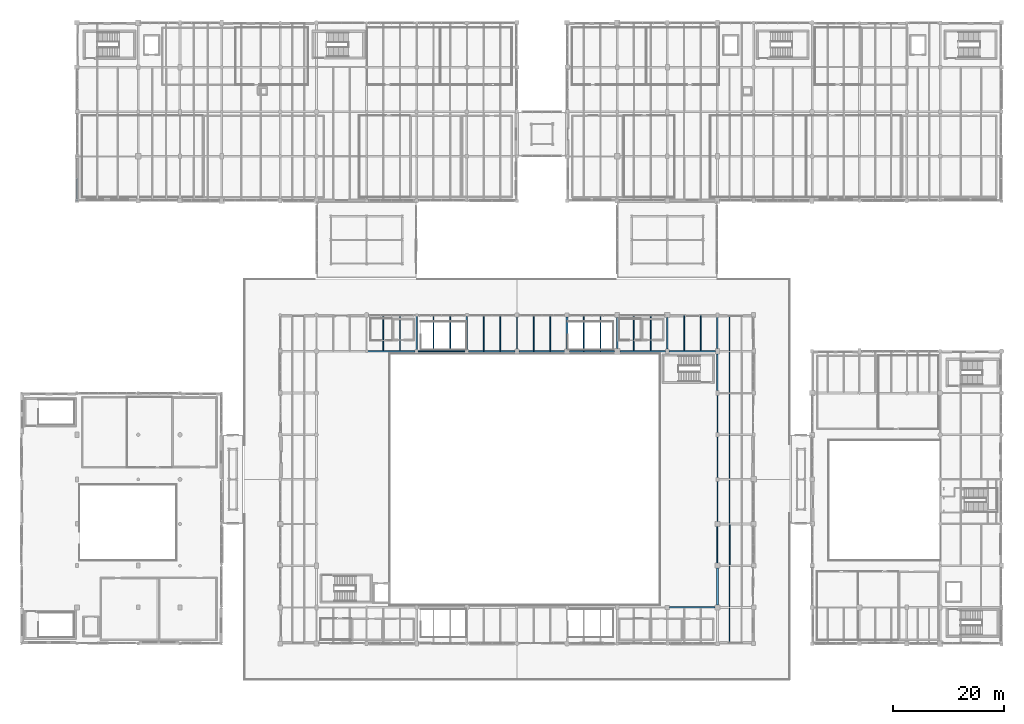
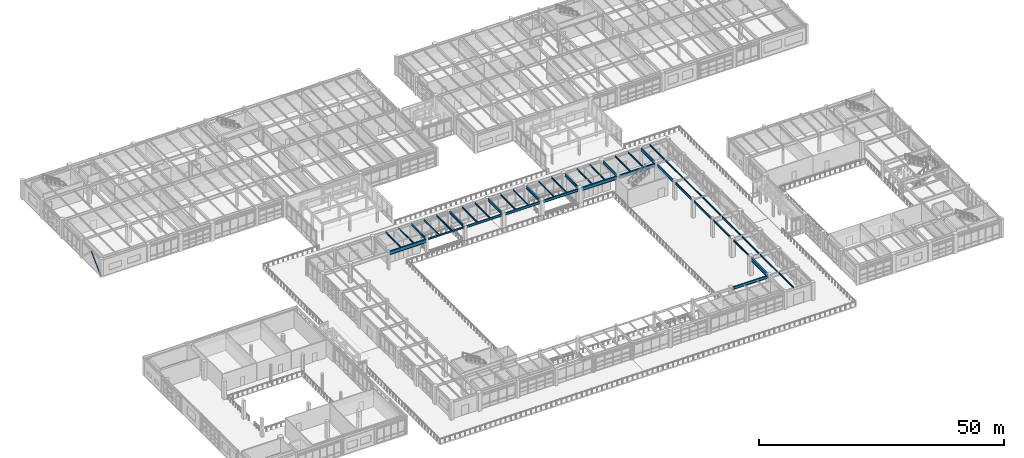
# One storey, part 52 of 200: 43 beams, 1 member.
"""IFC4 building model written with IfcOpenShell, lengths in metres."""

from ifc_helpers import new_model, si_unit, direction, frame, origin, origin_2d, place, context, subcontext, project, spatial, hollow_rectangle, i_section, extrude, material, material_profile, profile_set, type_object, element, save


model = new_model("IFC4")

# Units and contexts
model_context = context("Model", 3, precision=1e-05, world=origin(), true_north=direction((0.0, 1.0)))
body_context = subcontext(model_context, "Body", "Model", "MODEL_VIEW")
ifc_project = project(units=[si_unit("LENGTHUNIT", "METRE"), si_unit("AREAUNIT", "SQUARE_METRE"), si_unit("VOLUMEUNIT", "CUBIC_METRE"), si_unit("PLANEANGLEUNIT", "RADIAN"), si_unit("MASSUNIT", "GRAM", prefix="KILO"), si_unit("THERMODYNAMICTEMPERATUREUNIT", "KELVIN"), si_unit("POWERUNIT", "WATT")], contexts=[model_context])

# Site, building, storey
site_placement = place(None, origin())
site = spatial("IfcSite", under=ifc_project, at=site_placement, CompositionType="ELEMENT")
building_placement = place(site_placement, origin())
building = spatial("IfcBuilding", under=site, at=building_placement, Name="Tepalcoro Natatorium and Aquatics Centre", CompositionType="ELEMENT")
storey_placement = place(building_placement, frame((0.0, 0.0, 5.39990234375)))
storey = spatial("IfcBuildingStorey", under=building, at=storey_placement, Name="L01", CompositionType="ELEMENT", Elevation=5.39990234375)

# Beams
ifc_material_1 = material(Name="Steel ASTM A992 Grade 50 (Fy 345 MPa)", Category="steel")
ifc_material_profile_1 = material_profile(ifc_material_1, i_section(OverallWidth=0.177978515625, OverallDepth=0.406005859375, WebThickness=0.008056640625, FlangeThickness=0.012939453125, FilletRadius=0.013916015625, at=origin_2d()), Name="W16X40")
ifc_profile_set_1 = profile_set([ifc_material_profile_1], Name="Steel ASTM A992 Grade 50 (Fy 345 MPa)")
beam_type_1 = type_object("IfcBeamType", Name="BM_W16x40", PredefinedType="BEAM", material=ifc_profile_set_1)
beam_1_placement = place(storey_placement, frame((71.260009765625, 59.0, 4.26220703125), z_axis=(1.0, 0.0, 0.0), x_axis=(0.0, 1.0, 0.0)))
element("IfcBeam", 1, at=beam_1_placement, inside=storey, type_object=beam_type_1, Name="V1 L01 Grid Girder X", PredefinedType="BEAM", context=body_context, shape_type="SweptSolid", body=[
    extrude(i_section(OverallWidth=0.177978515625, OverallDepth=0.406005859375, WebThickness=0.008056640625, FlangeThickness=0.012939453125, FilletRadius=0.013916015625, at=origin_2d()), origin(), (0.0, 0.0, 1.0), 8.429931640625),
])
beam_2_placement = place(storey_placement, frame((125.0, 20.93505859375, 4.26220703125), z_axis=(0.0, 1.0, 0.0), x_axis=(-1.0, 0.0, 0.0)))
element("IfcBeam", 2, at=beam_2_placement, inside=storey, type_object=beam_type_1, Name="V1 L01 Grid Girder Y", PredefinedType="BEAM", context=body_context, shape_type="SweptSolid", body=[
    extrude(i_section(OverallWidth=0.177978515625, OverallDepth=0.406005859375, WebThickness=0.008056640625, FlangeThickness=0.012939453125, FilletRadius=0.013916015625, at=origin_2d()), origin(), (0.0, 0.0, 1.0), 6.60498046875),
])
ifc_material_profile_2 = material_profile(ifc_material_1, i_section(OverallWidth=0.193115234375, OverallDepth=0.467041015625, WebThickness=0.010986328125, FlangeThickness=0.01904296875, FilletRadius=0.013916015625, at=origin_2d()), Name="W18X65")
ifc_profile_set_2 = profile_set([ifc_material_profile_2], Name="Steel ASTM A992 Grade 50 (Fy 345 MPa)")
beam_type_2 = type_object("IfcBeamType", Name="BM_W18x65", PredefinedType="BEAM", material=ifc_profile_set_2)
beam_3_placement = place(storey_placement, frame((125.0, 28.4599609375, 4.231689453125), z_axis=(0.0, 1.0, 0.0), x_axis=(-1.0, 0.0, 0.0)))
element("IfcBeam", 3, at=beam_3_placement, inside=storey, type_object=beam_type_2, Name="V1 L01 Grid Girder Y", PredefinedType="BEAM", context=body_context, shape_type="SweptSolid", body=[
    extrude(i_section(OverallWidth=0.193115234375, OverallDepth=0.467041015625, WebThickness=0.010986328125, FlangeThickness=0.01904296875, FilletRadius=0.013916015625, at=origin_2d()), origin(), (0.0, 0.0, 1.0), 7.205078125),
])
ifc_material_profile_3 = material_profile(ifc_material_1, i_section(OverallWidth=0.2099609375, OverallDepth=0.532958984375, WebThickness=0.010009765625, FlangeThickness=0.01611328125, FilletRadius=0.013916015625, at=origin_2d()), Name="W21X62")
ifc_profile_set_3 = profile_set([ifc_material_profile_3], Name="Steel ASTM A992 Grade 50 (Fy 345 MPa)")
beam_type_3 = type_object("IfcBeamType", Name="BM_W21x62", PredefinedType="BEAM", material=ifc_profile_set_3)
beam_4_placement = place(storey_placement, frame((80.31005859375, 59.0, 4.198486328125), z_axis=(1.0, 0.0, 0.0), x_axis=(0.0, 1.0, 0.0)))
element("IfcBeam", 4, at=beam_4_placement, inside=storey, type_object=beam_type_3, Name="V1 L01 Grid Girder X", PredefinedType="BEAM", context=body_context, shape_type="SweptSolid", body=[
    extrude(i_section(OverallWidth=0.2099609375, OverallDepth=0.532958984375, WebThickness=0.010009765625, FlangeThickness=0.01611328125, FilletRadius=0.013916015625, at=origin_2d()), origin(), (0.0, 0.0, 1.0), 8.329833984375),
])
ifc_material_profile_4 = material_profile(ifc_material_1, i_section(OverallWidth=0.2119140625, OverallDepth=0.5439453125, WebThickness=0.012939453125, FlangeThickness=0.02099609375, FilletRadius=0.013916015625, at=origin_2d()), Name="W21X83")
ifc_profile_set_4 = profile_set([ifc_material_profile_4], Name="Steel ASTM A992 Grade 50 (Fy 345 MPa)")
beam_type_4 = type_object("IfcBeamType", Name="BM_W21x83", PredefinedType="BEAM", material=ifc_profile_set_4)
beam_5_placement = place(storey_placement, frame((71.0, 59.260009765625, 4.193115234375), z_axis=(0.0, 1.0, 0.0), x_axis=(-1.0, 0.0, 0.0)))
element("IfcBeam", 5, at=beam_5_placement, inside=storey, type_object=beam_type_4, Name="V1 L01 Grid Girder Y", PredefinedType="BEAM", context=body_context, shape_type="SweptSolid", body=[
    extrude(i_section(OverallWidth=0.2119140625, OverallDepth=0.5439453125, WebThickness=0.012939453125, FlangeThickness=0.02099609375, FilletRadius=0.013916015625, at=origin_2d()), origin(), (0.0, 0.0, 1.0), 6.030029296875),
])
beam_6_placement = place(storey_placement, frame((125.0, 36.3349609375, 4.193115234375), z_axis=(0.0, 1.0, 0.0), x_axis=(-1.0, 0.0, 0.0)))
element("IfcBeam", 6, at=beam_6_placement, inside=storey, type_object=beam_type_4, Name="V1 L01 Grid Girder Y", PredefinedType="BEAM", context=body_context, shape_type="SweptSolid", body=[
    extrude(i_section(OverallWidth=0.2119140625, OverallDepth=0.5439453125, WebThickness=0.012939453125, FlangeThickness=0.02099609375, FilletRadius=0.013916015625, at=origin_2d()), origin(), (0.0, 0.0, 1.0), 7.280029296875),
])
ifc_material_profile_5 = material_profile(ifc_material_1, i_section(OverallWidth=0.324951171875, OverallDepth=0.616943359375, WebThickness=0.013916015625, FlangeThickness=0.02197265625, FilletRadius=0.013916015625, at=origin_2d()), Name="W24X117")
ifc_profile_set_5 = profile_set([ifc_material_profile_5], Name="Steel ASTM A992 Grade 50 (Fy 345 MPa)")
beam_type_5 = type_object("IfcBeamType", Name="BM_W24x117", PredefinedType="BEAM", material=ifc_profile_set_5)
beam_7_placement = place(storey_placement, frame((98.0, 59.409912109375, 4.156494140625), z_axis=(0.0, 1.0, 0.0), x_axis=(-1.0, 0.0, 0.0)))
element("IfcBeam", 7, at=beam_7_placement, inside=storey, type_object=beam_type_5, Name="V1 L01 Grid Girder Y", PredefinedType="BEAM", context=body_context, shape_type="SweptSolid", body=[
    extrude(i_section(OverallWidth=0.324951171875, OverallDepth=0.616943359375, WebThickness=0.013916015625, FlangeThickness=0.02197265625, FilletRadius=0.013916015625, at=origin_2d()), origin(), (0.0, 0.0, 1.0), 5.72998046875),
])
ifc_material_profile_6 = material_profile(ifc_material_1, i_section(OverallWidth=0.22802734375, OverallDepth=0.60693359375, WebThickness=0.010986328125, FlangeThickness=0.01708984375, FilletRadius=0.013916015625, at=origin_2d()), Name="W24X76")
ifc_profile_set_6 = profile_set([ifc_material_profile_6], Name="Steel ASTM A992 Grade 50 (Fy 345 MPa)")
beam_type_6 = type_object("IfcBeamType", Name="BM_W24x76", PredefinedType="BEAM", material=ifc_profile_set_6)
beam_8_placement = place(storey_placement, frame((80.0, 59.31005859375, 4.16162109375), z_axis=(0.0, 1.0, 0.0), x_axis=(-1.0, 0.0, 0.0)))
element("IfcBeam", 8, at=beam_8_placement, inside=storey, type_object=beam_type_6, Name="V1 L01 Grid Girder Y", PredefinedType="BEAM", context=body_context, shape_type="SweptSolid", body=[
    extrude(i_section(OverallWidth=0.22802734375, OverallDepth=0.60693359375, WebThickness=0.010986328125, FlangeThickness=0.01708984375, FilletRadius=0.013916015625, at=origin_2d()), origin(), (0.0, 0.0, 1.0), 5.929931640625),
])
ifc_material_profile_7 = material_profile(ifc_material_1, i_section(OverallWidth=0.22998046875, OverallDepth=0.616943359375, WebThickness=0.012939453125, FlangeThickness=0.02197265625, FilletRadius=0.013916015625, at=origin_2d()), Name="W24X94")
ifc_profile_set_7 = profile_set([ifc_material_profile_7], Name="Steel ASTM A992 Grade 50 (Fy 345 MPa)")
beam_type_7 = type_object("IfcBeamType", Name="BM_W24x94", PredefinedType="BEAM", material=ifc_profile_set_7)
beam_9_placement = place(storey_placement, frame((89.360107421875, 59.0, 4.156494140625), z_axis=(1.0, 0.0, 0.0), x_axis=(0.0, 1.0, 0.0)))
element("IfcBeam", 9, at=beam_9_placement, inside=storey, type_object=beam_type_7, Name="V1 L01 Grid Girder X", PredefinedType="BEAM", context=body_context, shape_type="SweptSolid", body=[
    extrude(i_section(OverallWidth=0.22998046875, OverallDepth=0.616943359375, WebThickness=0.012939453125, FlangeThickness=0.02197265625, FilletRadius=0.013916015625, at=origin_2d()), origin(), (0.0, 0.0, 1.0), 8.22998046875),
])
beam_10_placement = place(storey_placement, frame((89.0, 59.360107421875, 4.156494140625), z_axis=(0.0, 1.0, 0.0), x_axis=(-1.0, 0.0, 0.0)))
element("IfcBeam", 10, at=beam_10_placement, inside=storey, type_object=beam_type_7, Name="V1 L01 Grid Girder Y", PredefinedType="BEAM", context=body_context, shape_type="SweptSolid", body=[
    extrude(i_section(OverallWidth=0.22998046875, OverallDepth=0.616943359375, WebThickness=0.012939453125, FlangeThickness=0.02197265625, FilletRadius=0.013916015625, at=origin_2d()), origin(), (0.0, 0.0, 1.0), 5.829833984375),
])
beam_11_placement = place(storey_placement, frame((125.0, 44.385009765625, 4.156494140625), z_axis=(0.0, 1.0, 0.0), x_axis=(-1.0, 0.0, 0.0)))
element("IfcBeam", 11, at=beam_11_placement, inside=storey, type_object=beam_type_7, Name="V1 L01 Grid Girder Y", PredefinedType="BEAM", context=body_context, shape_type="SweptSolid", body=[
    extrude(i_section(OverallWidth=0.22998046875, OverallDepth=0.616943359375, WebThickness=0.012939453125, FlangeThickness=0.02197265625, FilletRadius=0.013916015625, at=origin_2d()), origin(), (0.0, 0.0, 1.0), 6.679931640625),
])
ifc_material_profile_8 = material_profile(ifc_material_1, i_section(OverallWidth=0.25390625, OverallDepth=0.68798828125, WebThickness=0.012939453125, FlangeThickness=0.02099609375, FilletRadius=0.013916015625, at=origin_2d()), Name="W27X102")
ifc_profile_set_8 = profile_set([ifc_material_profile_8], Name="Steel ASTM A992 Grade 50 (Fy 345 MPa)")
beam_type_8 = type_object("IfcBeamType", Name="BM_W27x102", PredefinedType="BEAM", material=ifc_profile_set_8)
beam_12_placement = place(storey_placement, frame((107.0, 59.4599609375, 4.12109375), z_axis=(0.0, 1.0, 0.0), x_axis=(-1.0, 0.0, 0.0)))
element("IfcBeam", 12, at=beam_12_placement, inside=storey, type_object=beam_type_8, Name="V1 L01 Grid Girder Y", PredefinedType="BEAM", context=body_context, shape_type="SweptSolid", body=[
    extrude(i_section(OverallWidth=0.25390625, OverallDepth=0.68798828125, WebThickness=0.012939453125, FlangeThickness=0.02099609375, FilletRadius=0.013916015625, at=origin_2d()), origin(), (0.0, 0.0, 1.0), 5.630126953125),
])
beam_13_placement = place(storey_placement, frame((125.0, 51.93505859375, 4.12109375), z_axis=(0.0, 1.0, 0.0), x_axis=(-1.0, 0.0, 0.0)))
element("IfcBeam", 13, at=beam_13_placement, inside=storey, type_object=beam_type_8, Name="V1 L01 Grid Girder Y", PredefinedType="BEAM", context=body_context, shape_type="SweptSolid", body=[
    extrude(i_section(OverallWidth=0.25390625, OverallDepth=0.68798828125, WebThickness=0.012939453125, FlangeThickness=0.02099609375, FilletRadius=0.013916015625, at=origin_2d()), origin(), (0.0, 0.0, 1.0), 6.60498046875),
])
ifc_material_profile_9 = material_profile(ifc_material_1, i_section(OverallWidth=0.25390625, OverallDepth=0.700927734375, WebThickness=0.014892578125, FlangeThickness=0.028076171875, FilletRadius=0.013916015625, at=origin_2d()), Name="W27X129")
ifc_profile_set_9 = profile_set([ifc_material_profile_9], Name="Steel ASTM A992 Grade 50 (Fy 345 MPa)")
beam_type_9 = type_object("IfcBeamType", Name="BM_W27x129", PredefinedType="BEAM", material=ifc_profile_set_9)
beam_14_placement = place(storey_placement, frame((116.360107421875, 13.0, 4.114501953125), z_axis=(1.0, 0.0, 0.0), x_axis=(0.0, 1.0, 0.0)))
element("IfcBeam", 14, at=beam_14_placement, inside=storey, type_object=beam_type_9, Name="V1 L01 Grid Girder X", PredefinedType="BEAM", context=body_context, shape_type="SweptSolid", body=[
    extrude(i_section(OverallWidth=0.25390625, OverallDepth=0.700927734375, WebThickness=0.014892578125, FlangeThickness=0.028076171875, FilletRadius=0.013916015625, at=origin_2d()), origin(), (0.0, 0.0, 1.0), 8.22998046875),
])
beam_15_placement = place(storey_placement, frame((98.409912109375, 59.0, 4.114501953125), z_axis=(1.0, 0.0, 0.0), x_axis=(0.0, 1.0, 0.0)))
element("IfcBeam", 15, at=beam_15_placement, inside=storey, type_object=beam_type_9, Name="V1 L01 Grid Girder X", PredefinedType="BEAM", context=body_context, shape_type="SweptSolid", body=[
    extrude(i_section(OverallWidth=0.25390625, OverallDepth=0.700927734375, WebThickness=0.014892578125, FlangeThickness=0.028076171875, FilletRadius=0.013916015625, at=origin_2d()), origin(), (0.0, 0.0, 1.0), 8.130126953125),
])
beam_16_placement = place(storey_placement, frame((116.0, 59.385009765625, 4.114501953125), z_axis=(0.0, 1.0, 0.0), x_axis=(-1.0, 0.0, 0.0)))
element("IfcBeam", 16, at=beam_16_placement, inside=storey, type_object=beam_type_9, Name="V1 L01 Grid Girder Y", PredefinedType="BEAM", context=body_context, shape_type="SweptSolid", body=[
    extrude(i_section(OverallWidth=0.25390625, OverallDepth=0.700927734375, WebThickness=0.014892578125, FlangeThickness=0.028076171875, FilletRadius=0.013916015625, at=origin_2d()), origin(), (0.0, 0.0, 1.0), 5.655029296875),
])
ifc_material_profile_10 = material_profile(ifc_material_1, i_section(OverallWidth=0.26708984375, OverallDepth=0.761962890625, WebThickness=0.013916015625, FlangeThickness=0.02197265625, FilletRadius=0.013916015625, at=origin_2d()), Name="W30X116")
ifc_profile_set_10 = profile_set([ifc_material_profile_10], Name="Steel ASTM A992 Grade 50 (Fy 345 MPa)")
beam_type_10 = type_object("IfcBeamType", Name="BM_W30x116", PredefinedType="BEAM", material=ifc_profile_set_10)
beam_17_placement = place(storey_placement, frame((125.0, 59.4599609375, 4.083984375), z_axis=(0.0, 1.0, 0.0), x_axis=(-1.0, 0.0, 0.0)))
element("IfcBeam", 17, at=beam_17_placement, inside=storey, type_object=beam_type_10, Name="V1 L01 Grid Girder Y", PredefinedType="BEAM", context=body_context, shape_type="SweptSolid", body=[
    extrude(i_section(OverallWidth=0.26708984375, OverallDepth=0.761962890625, WebThickness=0.013916015625, FlangeThickness=0.02197265625, FilletRadius=0.013916015625, at=origin_2d()), origin(), (0.0, 0.0, 1.0), 5.655029296875),
])
ifc_material_profile_11 = material_profile(ifc_material_1, i_section(OverallWidth=0.2919921875, OverallDepth=0.845947265625, WebThickness=0.014892578125, FlangeThickness=0.02392578125, FilletRadius=0.013916015625, at=origin_2d()), Name="W33X141")
ifc_profile_set_11 = profile_set([ifc_material_profile_11], Name="Steel ASTM A992 Grade 50 (Fy 345 MPa)")
beam_type_11 = type_object("IfcBeamType", Name="BM_W33x141", PredefinedType="BEAM", material=ifc_profile_set_11)
beam_18_placement = place(storey_placement, frame((107.4599609375, 59.0, 4.0419921875), z_axis=(1.0, 0.0, 0.0), x_axis=(0.0, 1.0, 0.0)))
element("IfcBeam", 18, at=beam_18_placement, inside=storey, type_object=beam_type_11, Name="V1 L01 Grid Girder X", PredefinedType="BEAM", context=body_context, shape_type="SweptSolid", body=[
    extrude(i_section(OverallWidth=0.2919921875, OverallDepth=0.845947265625, WebThickness=0.014892578125, FlangeThickness=0.02392578125, FilletRadius=0.013916015625, at=origin_2d()), origin(), (0.0, 0.0, 1.0), 8.255126953125),
])
ifc_material_profile_12 = material_profile(ifc_material_1, i_section(OverallWidth=0.304931640625, OverallDepth=0.9189453125, WebThickness=0.01708984375, FlangeThickness=0.028076171875, FilletRadius=0.013916015625, at=origin_2d()), Name="W36X170")
ifc_profile_set_12 = profile_set([ifc_material_profile_12], Name="Steel ASTM A992 Grade 50 (Fy 345 MPa)")
beam_type_12 = type_object("IfcBeamType", Name="BM_W36x170", PredefinedType="BEAM", material=ifc_profile_set_12)
beam_19_placement = place(storey_placement, frame((62.2099609375, 59.0, 4.005615234375), z_axis=(1.0, 0.0, 0.0), x_axis=(0.0, 1.0, 0.0)))
element("IfcBeam", 19, at=beam_19_placement, inside=storey, type_object=beam_type_12, Name="V1 L01 Grid Girder X", PredefinedType="BEAM", context=body_context, shape_type="SweptSolid", body=[
    extrude(i_section(OverallWidth=0.304931640625, OverallDepth=0.9189453125, WebThickness=0.01708984375, FlangeThickness=0.028076171875, FilletRadius=0.013916015625, at=origin_2d()), origin(), (0.0, 0.0, 1.0), 8.530029296875),
])
ifc_material_profile_13 = material_profile(ifc_material_1, i_section(OverallWidth=0.31005859375, OverallDepth=0.931884765625, WebThickness=0.02099609375, FlangeThickness=0.034912109375, FilletRadius=0.013916015625, at=origin_2d()), Name="W36X210")
ifc_profile_set_13 = profile_set([ifc_material_profile_13], Name="Steel ASTM A992 Grade 50 (Fy 345 MPa)")
beam_type_13 = type_object("IfcBeamType", Name="BM_W36x210", PredefinedType="BEAM", material=ifc_profile_set_13)
beam_20_placement = place(storey_placement, frame((116.284912109375, 59.0, 3.9990234375), z_axis=(1.0, 0.0, 0.0), x_axis=(0.0, 1.0, 0.0)))
element("IfcBeam", 20, at=beam_20_placement, inside=storey, type_object=beam_type_13, Name="V1 L01 Grid Girder X", PredefinedType="BEAM", context=body_context, shape_type="SweptSolid", body=[
    extrude(i_section(OverallWidth=0.31005859375, OverallDepth=0.931884765625, WebThickness=0.02099609375, FlangeThickness=0.034912109375, FilletRadius=0.013916015625, at=origin_2d()), origin(), (0.0, 0.0, 1.0), 8.380126953125),
])
beam_21_placement = place(storey_placement, frame((125.0, 13.409912109375, 3.9990234375), z_axis=(0.0, 1.0, 0.0), x_axis=(-1.0, 0.0, 0.0)))
element("IfcBeam", 21, at=beam_21_placement, inside=storey, type_object=beam_type_13, Name="V1 L01 Grid Girder Y", PredefinedType="BEAM", context=body_context, shape_type="SweptSolid", body=[
    extrude(i_section(OverallWidth=0.31005859375, OverallDepth=0.931884765625, WebThickness=0.02099609375, FlangeThickness=0.034912109375, FilletRadius=0.013916015625, at=origin_2d()), origin(), (0.0, 0.0, 1.0), 6.655029296875),
])
ifc_material_profile_14 = material_profile(ifc_material_1, i_section(OverallWidth=0.1650390625, OverallDepth=0.31005859375, WebThickness=0.006103515625, FlangeThickness=0.010009765625, FilletRadius=0.013916015625, at=origin_2d()), Name="W12X26")
ifc_profile_set_14 = profile_set([ifc_material_profile_14], Name="Steel ASTM A992 Grade 50 (Fy 345 MPa)")
beam_type_14 = type_object("IfcBeamType", Name="JS_W12x26", PredefinedType="JOIST", material=ifc_profile_set_14)
beam_22_placement = place(storey_placement, frame((95.0, 59.114990234375, 4.31005859375), z_axis=(0.0, 1.0, 0.0), x_axis=(-1.0, 0.0, 0.0)))
element("IfcBeam", 22, at=beam_22_placement, inside=storey, type_object=beam_type_14, Name="V1 L01 Floor Joist", PredefinedType="JOIST", context=body_context, shape_type="SweptSolid", body=[
    extrude(i_section(OverallWidth=0.1650390625, OverallDepth=0.31005859375, WebThickness=0.006103515625, FlangeThickness=0.010009765625, FilletRadius=0.013916015625, at=origin_2d()), origin(), (0.0, 0.0, 1.0), 6.280029296875),
])
beam_23_placement = place(storey_placement, frame((101.0, 59.126953125, 4.31005859375), z_axis=(0.0, 1.0, 0.0), x_axis=(-1.0, 0.0, 0.0)))
element("IfcBeam", 23, at=beam_23_placement, inside=storey, type_object=beam_type_14, Name="V1 L01 Floor Joist", PredefinedType="JOIST", context=body_context, shape_type="SweptSolid", body=[
    extrude(i_section(OverallWidth=0.1650390625, OverallDepth=0.31005859375, WebThickness=0.006103515625, FlangeThickness=0.010009765625, FilletRadius=0.013916015625, at=origin_2d()), origin(), (0.0, 0.0, 1.0), 6.258544921875),
])
beam_24_placement = place(storey_placement, frame((127.166748046875, 36.155029296875, 4.31005859375), z_axis=(0.0, 1.0, 0.0), x_axis=(-1.0, 0.0, 0.0)))
element("IfcBeam", 24, at=beam_24_placement, inside=storey, type_object=beam_type_14, Name="V1 L01 Floor Joist", PredefinedType="JOIST", context=body_context, shape_type="SweptSolid", body=[
    extrude(i_section(OverallWidth=0.1650390625, OverallDepth=0.31005859375, WebThickness=0.006103515625, FlangeThickness=0.010009765625, FilletRadius=0.013916015625, at=origin_2d()), origin(), (0.0, 0.0, 1.0), 7.743408203125),
])
ifc_material_profile_15 = material_profile(ifc_material_1, i_section(OverallWidth=0.1669921875, OverallDepth=0.318115234375, WebThickness=0.008056640625, FlangeThickness=0.012939453125, FilletRadius=0.013916015625, at=origin_2d()), Name="W12X35")
ifc_profile_set_15 = profile_set([ifc_material_profile_15], Name="Steel ASTM A992 Grade 50 (Fy 345 MPa)")
beam_type_15 = type_object("IfcBeamType", Name="JS_W12x35", PredefinedType="JOIST", material=ifc_profile_set_15)
beam_25_placement = place(storey_placement, frame((104.0, 59.126953125, 4.30615234375), z_axis=(0.0, 1.0, 0.0), x_axis=(-1.0, 0.0, 0.0)))
element("IfcBeam", 25, at=beam_25_placement, inside=storey, type_object=beam_type_15, Name="V1 L01 Floor Joist", PredefinedType="JOIST", context=body_context, shape_type="SweptSolid", body=[
    extrude(i_section(OverallWidth=0.1669921875, OverallDepth=0.318115234375, WebThickness=0.008056640625, FlangeThickness=0.012939453125, FilletRadius=0.013916015625, at=origin_2d()), origin(), (0.0, 0.0, 1.0), 6.258544921875),
])
beam_26_placement = place(storey_placement, frame((110.0, 59.14599609375, 4.30615234375), z_axis=(0.0, 1.0, 0.0), x_axis=(-1.0, 0.0, 0.0)))
element("IfcBeam", 26, at=beam_26_placement, inside=storey, type_object=beam_type_15, Name="V1 L01 Floor Joist", PredefinedType="JOIST", context=body_context, shape_type="SweptSolid", body=[
    extrude(i_section(OverallWidth=0.1669921875, OverallDepth=0.318115234375, WebThickness=0.008056640625, FlangeThickness=0.012939453125, FilletRadius=0.013916015625, at=origin_2d()), origin(), (0.0, 0.0, 1.0), 6.263916015625),
])
beam_27_placement = place(storey_placement, frame((127.166748046875, 44.1015625, 4.30615234375), z_axis=(0.0, 1.0, 0.0), x_axis=(-1.0, 0.0, 0.0)))
element("IfcBeam", 27, at=beam_27_placement, inside=storey, type_object=beam_type_15, Name="V1 L01 Floor Joist", PredefinedType="JOIST", context=body_context, shape_type="SweptSolid", body=[
    extrude(i_section(OverallWidth=0.1669921875, OverallDepth=0.318115234375, WebThickness=0.008056640625, FlangeThickness=0.012939453125, FilletRadius=0.013916015625, at=origin_2d()), origin(), (0.0, 0.0, 1.0), 7.309326171875),
])
ifc_material_profile_16 = material_profile(ifc_material_1, i_section(OverallWidth=0.1708984375, OverallDepth=0.35107421875, WebThickness=0.007080078125, FlangeThickness=0.010009765625, FilletRadius=0.013916015625, at=origin_2d()), Name="W14X30")
ifc_profile_set_16 = profile_set([ifc_material_profile_16], Name="Steel ASTM A992 Grade 50 (Fy 345 MPa)")
beam_type_16 = type_object("IfcBeamType", Name="JS_W14x30", PredefinedType="JOIST", material=ifc_profile_set_16)
beam_28_placement = place(storey_placement, frame((113.0, 59.14599609375, 4.28955078125), z_axis=(0.0, 1.0, 0.0), x_axis=(-1.0, 0.0, 0.0)))
element("IfcBeam", 28, at=beam_28_placement, inside=storey, type_object=beam_type_16, Name="V1 L01 Floor Joist", PredefinedType="JOIST", context=body_context, shape_type="SweptSolid", body=[
    extrude(i_section(OverallWidth=0.1708984375, OverallDepth=0.35107421875, WebThickness=0.007080078125, FlangeThickness=0.010009765625, FilletRadius=0.013916015625, at=origin_2d()), origin(), (0.0, 0.0, 1.0), 6.263916015625),
])
beam_29_placement = place(storey_placement, frame((119.0, 59.155029296875, 4.28955078125), z_axis=(0.0, 1.0, 0.0), x_axis=(-1.0, 0.0, 0.0)))
element("IfcBeam", 29, at=beam_29_placement, inside=storey, type_object=beam_type_16, Name="V1 L01 Floor Joist", PredefinedType="JOIST", context=body_context, shape_type="SweptSolid", body=[
    extrude(i_section(OverallWidth=0.1708984375, OverallDepth=0.35107421875, WebThickness=0.007080078125, FlangeThickness=0.010009765625, FilletRadius=0.013916015625, at=origin_2d()), origin(), (0.0, 0.0, 1.0), 6.24951171875),
])
beam_30_placement = place(storey_placement, frame((127.166748046875, 51.589111328125, 4.28955078125), z_axis=(0.0, 1.0, 0.0), x_axis=(-1.0, 0.0, 0.0)))
element("IfcBeam", 30, at=beam_30_placement, inside=storey, type_object=beam_type_16, Name="V1 L01 Floor Joist", PredefinedType="JOIST", context=body_context, shape_type="SweptSolid", body=[
    extrude(i_section(OverallWidth=0.1708984375, OverallDepth=0.35107421875, WebThickness=0.007080078125, FlangeThickness=0.010009765625, FilletRadius=0.013916015625, at=origin_2d()), origin(), (0.0, 0.0, 1.0), 7.3154296875),
])
ifc_material_profile_17 = material_profile(ifc_material_1, i_section(OverallWidth=0.172119140625, OverallDepth=0.35791015625, WebThickness=0.008056640625, FlangeThickness=0.012939453125, FilletRadius=0.013916015625, at=origin_2d()), Name="W14X38")
ifc_profile_set_17 = profile_set([ifc_material_profile_17], Name="Steel ASTM A992 Grade 50 (Fy 345 MPa)")
beam_type_17 = type_object("IfcBeamType", Name="JS_W14x38", PredefinedType="JOIST", material=ifc_profile_set_17)
beam_31_placement = place(storey_placement, frame((65.0, 59.152587890625, 4.2861328125), z_axis=(0.0, 1.0, 0.0), x_axis=(-1.0, 0.0, 0.0)))
element("IfcBeam", 31, at=beam_31_placement, inside=storey, type_object=beam_type_17, Name="V1 L01 Floor Joist", PredefinedType="JOIST", context=body_context, shape_type="SweptSolid", body=[
    extrude(i_section(OverallWidth=0.172119140625, OverallDepth=0.35791015625, WebThickness=0.008056640625, FlangeThickness=0.012939453125, FilletRadius=0.013916015625, at=origin_2d()), origin(), (0.0, 0.0, 1.0), 6.23291015625),
])
beam_32_placement = place(storey_placement, frame((122.0, 59.155029296875, 4.2861328125), z_axis=(0.0, 1.0, 0.0), x_axis=(-1.0, 0.0, 0.0)))
element("IfcBeam", 32, at=beam_32_placement, inside=storey, type_object=beam_type_17, Name="V1 L01 Floor Joist", PredefinedType="JOIST", context=body_context, shape_type="SweptSolid", body=[
    extrude(i_section(OverallWidth=0.172119140625, OverallDepth=0.35791015625, WebThickness=0.008056640625, FlangeThickness=0.012939453125, FilletRadius=0.013916015625, at=origin_2d()), origin(), (0.0, 0.0, 1.0), 6.24951171875),
])
beam_33_placement = place(storey_placement, frame((127.166748046875, 6.60498046875, 4.2861328125), z_axis=(0.0, 1.0, 0.0), x_axis=(-1.0, 0.0, 0.0)))
element("IfcBeam", 33, at=beam_33_placement, inside=storey, type_object=beam_type_17, Name="V1 L01 Floor Joist", PredefinedType="JOIST", context=body_context, shape_type="SweptSolid", body=[
    extrude(i_section(OverallWidth=0.172119140625, OverallDepth=0.35791015625, WebThickness=0.008056640625, FlangeThickness=0.012939453125, FilletRadius=0.013916015625, at=origin_2d()), origin(), (0.0, 0.0, 1.0), 6.2490234375),
])
beam_34_placement = place(storey_placement, frame((127.166748046875, 59.095458984375, 4.2861328125), z_axis=(0.0, 1.0, 0.0), x_axis=(-1.0, 0.0, 0.0)))
element("IfcBeam", 34, at=beam_34_placement, inside=storey, type_object=beam_type_17, Name="V1 L01 Floor Joist", PredefinedType="JOIST", context=body_context, shape_type="SweptSolid", body=[
    extrude(i_section(OverallWidth=0.172119140625, OverallDepth=0.35791015625, WebThickness=0.008056640625, FlangeThickness=0.012939453125, FilletRadius=0.013916015625, at=origin_2d()), origin(), (0.0, 0.0, 1.0), 6.299560546875),
])
ifc_material_profile_18 = material_profile(ifc_material_1, i_section(OverallWidth=0.139892578125, OverallDepth=0.404052734375, WebThickness=0.007080078125, FlangeThickness=0.010986328125, FilletRadius=0.013916015625, at=origin_2d()), Name="W16X31")
ifc_profile_set_18 = profile_set([ifc_material_profile_18], Name="Steel ASTM A992 Grade 50 (Fy 345 MPa)")
beam_type_18 = type_object("IfcBeamType", Name="JS_W16x31", PredefinedType="JOIST", material=ifc_profile_set_18)
beam_35_placement = place(storey_placement, frame((68.0, 59.152587890625, 4.26318359375), z_axis=(0.0, 1.0, 0.0), x_axis=(-1.0, 0.0, 0.0)))
element("IfcBeam", 35, at=beam_35_placement, inside=storey, type_object=beam_type_18, Name="V1 L01 Floor Joist", PredefinedType="JOIST", context=body_context, shape_type="SweptSolid", body=[
    extrude(i_section(OverallWidth=0.139892578125, OverallDepth=0.404052734375, WebThickness=0.007080078125, FlangeThickness=0.010986328125, FilletRadius=0.013916015625, at=origin_2d()), origin(), (0.0, 0.0, 1.0), 6.23291015625),
])
beam_36_placement = place(storey_placement, frame((74.0, 59.089111328125, 4.26318359375), z_axis=(0.0, 1.0, 0.0), x_axis=(-1.0, 0.0, 0.0)))
element("IfcBeam", 36, at=beam_36_placement, inside=storey, type_object=beam_type_18, Name="V1 L01 Floor Joist", PredefinedType="JOIST", context=body_context, shape_type="SweptSolid", body=[
    extrude(i_section(OverallWidth=0.139892578125, OverallDepth=0.404052734375, WebThickness=0.007080078125, FlangeThickness=0.010986328125, FilletRadius=0.013916015625, at=origin_2d()), origin(), (0.0, 0.0, 1.0), 6.32080078125),
])
beam_37_placement = place(storey_placement, frame((127.166748046875, 13.14599609375, 4.26318359375), z_axis=(0.0, 1.0, 0.0), x_axis=(-1.0, 0.0, 0.0)))
element("IfcBeam", 37, at=beam_37_placement, inside=storey, type_object=beam_type_18, Name="V1 L01 Floor Joist", PredefinedType="JOIST", context=body_context, shape_type="SweptSolid", body=[
    extrude(i_section(OverallWidth=0.139892578125, OverallDepth=0.404052734375, WebThickness=0.007080078125, FlangeThickness=0.010986328125, FilletRadius=0.013916015625, at=origin_2d()), origin(), (0.0, 0.0, 1.0), 7.2080078125),
])
ifc_material_profile_19 = material_profile(ifc_material_1, i_section(OverallWidth=0.178955078125, OverallDepth=0.409912109375, WebThickness=0.009033203125, FlangeThickness=0.013916015625, FilletRadius=0.013916015625, at=origin_2d()), Name="W16X45")
ifc_profile_set_19 = profile_set([ifc_material_profile_19], Name="Steel ASTM A992 Grade 50 (Fy 345 MPa)")
beam_type_19 = type_object("IfcBeamType", Name="JS_W16x45", PredefinedType="JOIST", material=ifc_profile_set_19)
beam_38_placement = place(storey_placement, frame((77.0, 59.089111328125, 4.260009765625), z_axis=(0.0, 1.0, 0.0), x_axis=(-1.0, 0.0, 0.0)))
element("IfcBeam", 38, at=beam_38_placement, inside=storey, type_object=beam_type_19, Name="V1 L01 Floor Joist", PredefinedType="JOIST", context=body_context, shape_type="SweptSolid", body=[
    extrude(i_section(OverallWidth=0.178955078125, OverallDepth=0.409912109375, WebThickness=0.009033203125, FlangeThickness=0.013916015625, FilletRadius=0.013916015625, at=origin_2d()), origin(), (0.0, 0.0, 1.0), 6.32080078125),
])
beam_39_placement = place(storey_placement, frame((83.0, 59.10498046875, 4.260009765625), z_axis=(0.0, 1.0, 0.0), x_axis=(-1.0, 0.0, 0.0)))
element("IfcBeam", 39, at=beam_39_placement, inside=storey, type_object=beam_type_19, Name="V1 L01 Floor Joist", PredefinedType="JOIST", context=body_context, shape_type="SweptSolid", body=[
    extrude(i_section(OverallWidth=0.178955078125, OverallDepth=0.409912109375, WebThickness=0.009033203125, FlangeThickness=0.013916015625, FilletRadius=0.013916015625, at=origin_2d()), origin(), (0.0, 0.0, 1.0), 6.299560546875),
])
beam_40_placement = place(storey_placement, frame((127.166748046875, 20.64599609375, 4.260009765625), z_axis=(0.0, 1.0, 0.0), x_axis=(-1.0, 0.0, 0.0)))
element("IfcBeam", 40, at=beam_40_placement, inside=storey, type_object=beam_type_19, Name="V1 L01 Floor Joist", PredefinedType="JOIST", context=body_context, shape_type="SweptSolid", body=[
    extrude(i_section(OverallWidth=0.178955078125, OverallDepth=0.409912109375, WebThickness=0.009033203125, FlangeThickness=0.013916015625, FilletRadius=0.013916015625, at=origin_2d()), origin(), (0.0, 0.0, 1.0), 7.201416015625),
])
ifc_material_profile_20 = material_profile(ifc_material_1, i_section(OverallWidth=0.153076171875, OverallDepth=0.455078125, WebThickness=0.008056640625, FlangeThickness=0.012939453125, FilletRadius=0.013916015625, at=origin_2d()), Name="W18X40")
ifc_profile_set_20 = profile_set([ifc_material_profile_20], Name="Steel ASTM A992 Grade 50 (Fy 345 MPa)")
beam_type_20 = type_object("IfcBeamType", Name="JS_W18x40", PredefinedType="JOIST", material=ifc_profile_set_20)
beam_41_placement = place(storey_placement, frame((86.0, 59.10498046875, 4.237548828125), z_axis=(0.0, 1.0, 0.0), x_axis=(-1.0, 0.0, 0.0)))
element("IfcBeam", 41, at=beam_41_placement, inside=storey, type_object=beam_type_20, Name="V1 L01 Floor Joist", PredefinedType="JOIST", context=body_context, shape_type="SweptSolid", body=[
    extrude(i_section(OverallWidth=0.153076171875, OverallDepth=0.455078125, WebThickness=0.008056640625, FlangeThickness=0.012939453125, FilletRadius=0.013916015625, at=origin_2d()), origin(), (0.0, 0.0, 1.0), 6.299560546875),
])
beam_42_placement = place(storey_placement, frame((92.0, 59.114990234375, 4.237548828125), z_axis=(0.0, 1.0, 0.0), x_axis=(-1.0, 0.0, 0.0)))
element("IfcBeam", 42, at=beam_42_placement, inside=storey, type_object=beam_type_20, Name="V1 L01 Floor Joist", PredefinedType="JOIST", context=body_context, shape_type="SweptSolid", body=[
    extrude(i_section(OverallWidth=0.153076171875, OverallDepth=0.455078125, WebThickness=0.008056640625, FlangeThickness=0.012939453125, FilletRadius=0.013916015625, at=origin_2d()), origin(), (0.0, 0.0, 1.0), 6.280029296875),
])
beam_43_placement = place(storey_placement, frame((127.166748046875, 28.152587890625, 4.237548828125), z_axis=(0.0, 1.0, 0.0), x_axis=(-1.0, 0.0, 0.0)))
element("IfcBeam", 43, at=beam_43_placement, inside=storey, type_object=beam_type_20, Name="V1 L01 Floor Joist", PredefinedType="JOIST", context=body_context, shape_type="SweptSolid", body=[
    extrude(i_section(OverallWidth=0.153076171875, OverallDepth=0.455078125, WebThickness=0.008056640625, FlangeThickness=0.012939453125, FilletRadius=0.013916015625, at=origin_2d()), origin(), (0.0, 0.0, 1.0), 7.6923828125),
])

# Member
ifc_material_2 = material(Name="Hollow Steel ASTM A500 Grade C (Fy 345 MPa)", Category="steel")
ifc_material_profile_21 = material_profile(ifc_material_2, hollow_rectangle(XDim=0.25, YDim=0.25, WallThickness=0.013916015625, at=origin_2d()), Name="HSS250X250X14")
ifc_profile_set_21 = profile_set([ifc_material_profile_21], Name="Hollow Steel ASTM A500 Grade C (Fy 345 MPa)")
member_type = type_object("IfcMemberType", Name="MB_BR_HSS250x250x14", PredefinedType="BRACE", material=ifc_profile_set_21)
member_placement = place(storey_placement, frame((10.0, 86.0, 0.050048828125), z_axis=(0.0, 0.717780294483, 0.696269666761), x_axis=(-1.0, 0.0, 0.0)))
element("IfcMember", 44, at=member_placement, inside=storey, type_object=member_type, Name="V4 L01 Chevron Lateral Brace", PredefinedType="BRACE", context=body_context, shape_type="SweptSolid", body=[
    extrude(hollow_rectangle(XDim=0.25, YDim=0.25, WallThickness=0.013916015625, at=origin_2d()), origin(), (0.0, 0.0, 1.0), 5.57275390625),
])

save(model, "model.ifc")
